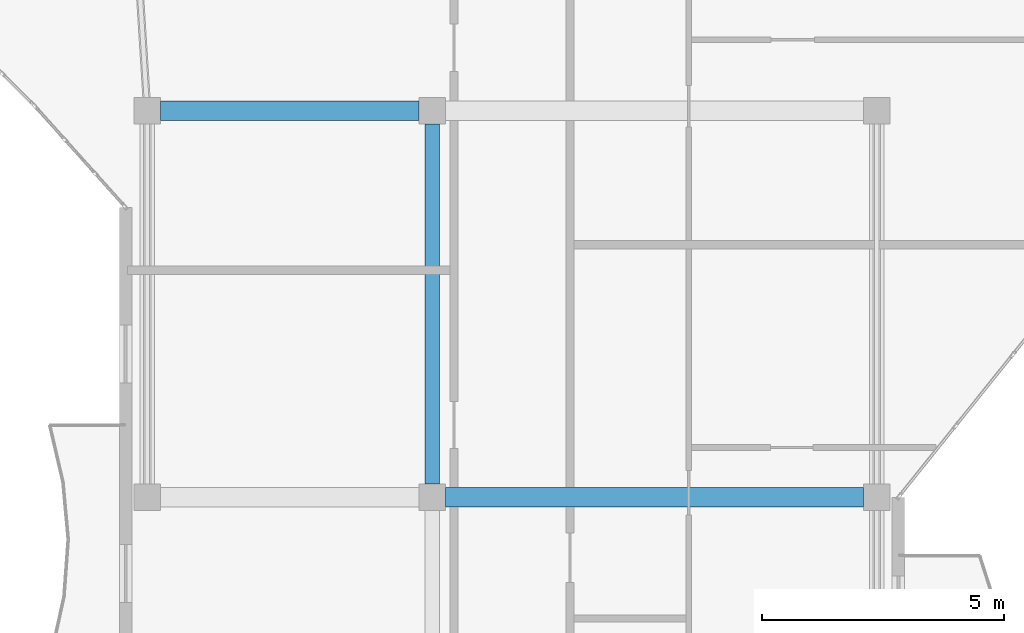
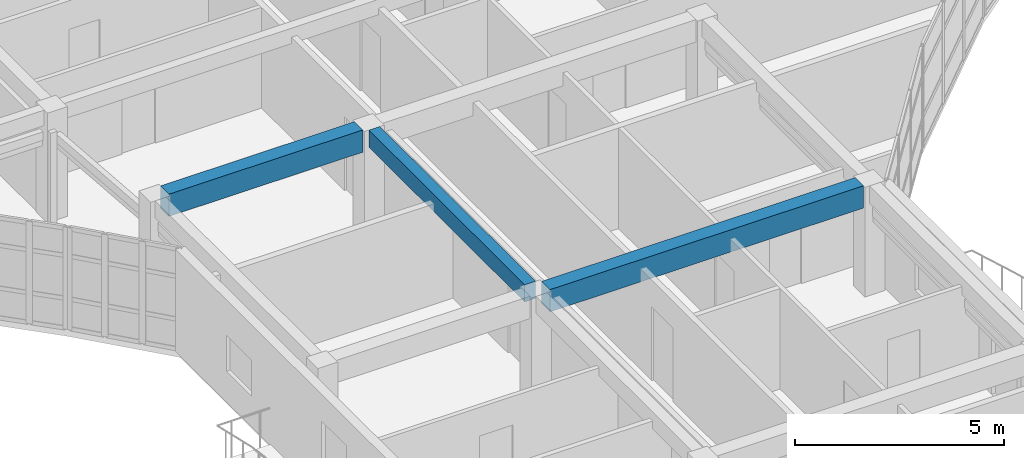
# One storey, part 3 of 49: 3 beams.
"""IFC4 building model written with IfcOpenShell, lengths in metres."""

from ifc_helpers import new_model, si_unit, direction, frame, origin, origin_2d, place, context, subcontext, project, spatial, rectangle, extrude, material, material_profile, profile_set, type_object, element, save


model = new_model("IFC4")

# Units and contexts
model_context = context("Model", 3, precision=1e-05, world=origin(), true_north=direction((0.0, 1.0)))
body_context = subcontext(model_context, "Body", "Model", "MODEL_VIEW")
ifc_project = project(units=[si_unit("LENGTHUNIT", "METRE"), si_unit("AREAUNIT", "SQUARE_METRE"), si_unit("VOLUMEUNIT", "CUBIC_METRE"), si_unit("PLANEANGLEUNIT", "RADIAN"), si_unit("MASSUNIT", "GRAM", prefix="KILO")], contexts=[model_context])

# Site, building, storey
site_placement = place(None, origin())
site = spatial("IfcSite", under=ifc_project, at=site_placement, CompositionType="ELEMENT")
building_placement = place(site_placement, origin())
building = spatial("IfcBuilding", under=site, at=building_placement, Name="Keldmere Railside Commons", CompositionType="ELEMENT")
storey_placement = place(building_placement, frame((0.0, 0.0, 29.760009765625)))
storey = spatial("IfcBuildingStorey", under=building, at=storey_placement, Name="L09", CompositionType="ELEMENT", Elevation=29.760009765625)

# Beams
ifc_material = material(Name="Concrete H-30 (C30/37)", Category="concrete")
ifc_material_profile_1 = material_profile(ifc_material, rectangle(XDim=0.39990234375, YDim=0.64990234375, at=origin_2d()), Name="RC-400x650")
ifc_profile_set_1 = profile_set([ifc_material_profile_1], Name="Concrete H-30 (C30/37)")
beam_type_1 = type_object("IfcBeamType", Name="Residential Spine RC Girder 400x650", PredefinedType="BEAM", material=ifc_profile_set_1)
beam_1_placement = place(storey_placement, frame((54.625, 88.0, 2.875), z_axis=(1.0, 0.0, 0.0), x_axis=(0.0, 1.0, 0.0)))
element("IfcBeam", 1, at=beam_1_placement, inside=storey, type_object=beam_type_1, Name="BG-3 BM-L09-2281", PredefinedType="BEAM", context=body_context, shape_type="SweptSolid", body=[
    extrude(rectangle(XDim=0.39990234375, YDim=0.64990234375, at=origin_2d()), origin(), (0.0, 0.0, 1.0), 8.64990234375),
])
beam_2_placement = place(storey_placement, frame((48.72509765625, 96.0, 2.875), z_axis=(1.0, 0.0, 0.0), x_axis=(0.0, 1.0, 0.0)))
element("IfcBeam", 2, at=beam_2_placement, inside=storey, type_object=beam_type_1, Name="BG-3 BM-L09-2286", PredefinedType="BEAM", context=body_context, shape_type="SweptSolid", body=[
    extrude(rectangle(XDim=0.39990234375, YDim=0.64990234375, at=origin_2d()), origin(), (0.0, 0.0, 1.0), 5.349853515625),
])
ifc_material_profile_2 = material_profile(ifc_material, rectangle(XDim=0.300048828125, YDim=0.5, at=origin_2d()), Name="RC-300x500")
ifc_profile_set_2 = profile_set([ifc_material_profile_2], Name="Concrete H-30 (C30/37)")
beam_type_2 = type_object("IfcBeamType", Name="Secondary Frame RC Beam 300x500", PredefinedType="BEAM", material=ifc_profile_set_2)
beam_3_placement = place(storey_placement, frame((54.35009765625, 88.27490234375, 2.949951171875), z_axis=(0.0, 1.0, 0.0), x_axis=(-1.0, 0.0, 0.0)))
element("IfcBeam", 3, at=beam_3_placement, inside=storey, type_object=beam_type_2, Name="BG-5 BM-L09-2327", PredefinedType="BEAM", context=body_context, shape_type="SweptSolid", body=[
    extrude(rectangle(XDim=0.300048828125, YDim=0.5, at=origin_2d()), origin(), (0.0, 0.0, 1.0), 7.4501953125),
])

save(model, "model.ifc")
